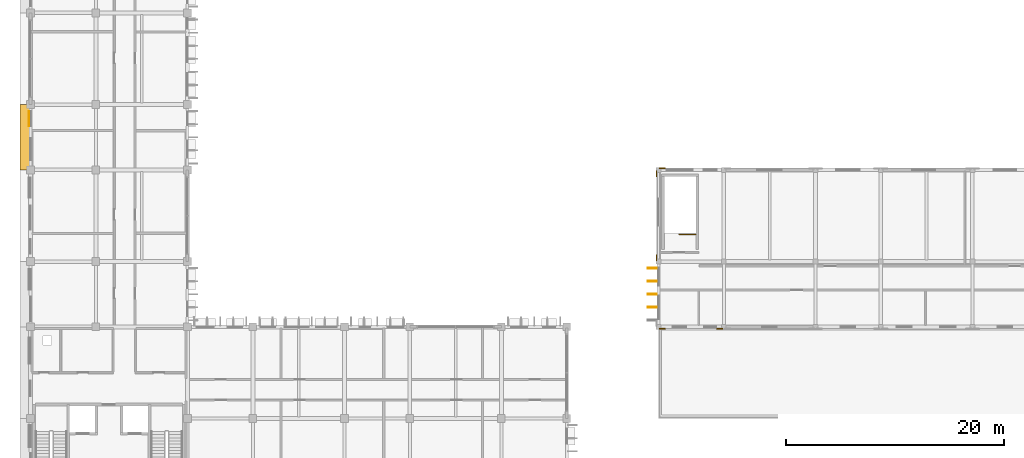
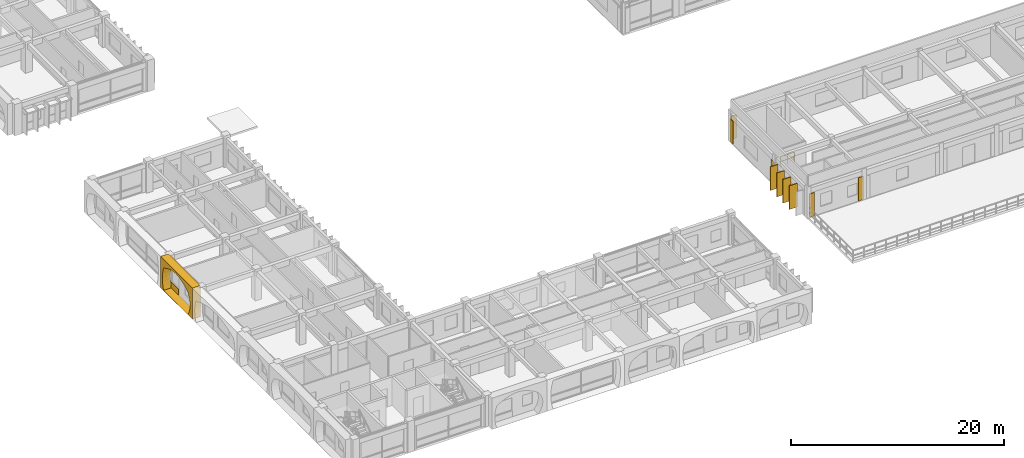
# One storey, part 71 of 88: 7 coverings, 4 shading devices, 1 railing.
"""IFC4 building model written with IfcOpenShell, lengths in metres."""

from ifc_helpers import new_model, si_unit, direction, frame, origin, origin_2d, place, context, subcontext, project, spatial, polyline, rectangle, outline, extrude, material, layer, layer_set, type_object, element, save


model = new_model("IFC4")

# Units and contexts
model_context = context("Model", 3, precision=1e-05, world=origin(), true_north=direction((0.0, 1.0)))
body_context = subcontext(model_context, "Body", "Model", "MODEL_VIEW")
ifc_project = project(units=[si_unit("LENGTHUNIT", "METRE"), si_unit("AREAUNIT", "SQUARE_METRE"), si_unit("VOLUMEUNIT", "CUBIC_METRE"), si_unit("PLANEANGLEUNIT", "RADIAN"), si_unit("MASSUNIT", "GRAM", prefix="KILO"), si_unit("THERMODYNAMICTEMPERATUREUNIT", "KELVIN")], contexts=[model_context])

# Site, building, storey
site_placement = place(None, origin())
site = spatial("IfcSite", under=ifc_project, at=site_placement, CompositionType="ELEMENT")
building_placement = place(site_placement, origin())
building = spatial("IfcBuilding", under=site, at=building_placement, Name="Thalorik Housing Commons", CompositionType="ELEMENT")
storey_placement = place(building_placement, frame((0.0, 0.0, 4.5)))
storey = spatial("IfcBuildingStorey", under=building, at=storey_placement, Name="L01", CompositionType="ELEMENT", Elevation=4.5)

# Coverings
ifc_material_1 = material(Name="Precast concrete C40/50", Category="concrete")
ifc_layer_1 = layer(ifc_material_1, 0.85009765625, Name="Precast concrete C40/50", Category="concrete")
ifc_layer_set_1 = layer_set([ifc_layer_1], Name="Precast concrete C40/50")
covering_type_1 = type_object("IfcCoveringType", Name="ARC-CLD-CUSH-850", PredefinedType="CLADDING", material=ifc_layer_set_1)
covering_1_placement = place(storey_placement, frame((7.87255859375, 40.199951171875, 0.0), z_axis=(0.0, 0.0, 1.0), x_axis=(0.0, -1.0, 0.0)))
element("IfcCovering", 1, at=covering_1_placement, inside=storey, type_object=covering_type_1, Name="L01 White Precast Curved Cushion Bay Frame 3474", PredefinedType="CLADDING", context=body_context, shape_type="SweptSolid", body=[
    extrude(outline(polyline([(-3.0, 0.0), (3.0, 0.0), (3.0, 3.60009765625), (-3.0, 3.60009765625), (-3.0, 0.0)]), holes=[polyline([(2.155029296875, 0.02490234375), (2.37451171875, 0.44921875), (2.506103515625, 0.873291015625), (2.550048828125, 1.297607421875), (2.506103515625, 1.7216796875), (2.37451171875, 2.145751953125), (2.155029296875, 2.570068359375), (1.771728515625, 2.804443359375), (1.38818359375, 2.98828125), (1.0048828125, 3.1376953125), (0.62158203125, 3.248291015625), (0.23828125, 3.31689453125), (-0.14501953125, 3.340087890625), (-0.5283203125, 3.31689453125), (-0.91162109375, 3.248291015625), (-1.294921875, 3.1376953125), (-1.67822265625, 2.98828125), (-2.061767578125, 2.804443359375), (-2.445068359375, 2.570068359375), (-2.562255859375, 2.145751953125), (-2.632568359375, 1.7216796875), (-2.656005859375, 1.297607421875), (-2.632568359375, 0.873291015625), (-2.562255859375, 0.44921875), (-2.445068359375, 0.02490234375), (2.155029296875, 0.02490234375)])]), frame((0.0, 0.425048828125, 0.0), z_axis=(0.0, -1.0, 0.0), x_axis=(1.0, 0.0, 0.0)), (0.0, 0.0, 1.0), 0.85009765625),
])
ifc_layer_2 = layer(ifc_material_1, 0.074951171875, Name="Precast concrete C40/50", Category="concrete")
ifc_layer_set_2 = layer_set([ifc_layer_2], Name="Precast concrete C40/50")
covering_type_2 = type_object("IfcCoveringType", Name="ARC-CLD-PIER-75", PredefinedType="CLADDING", material=ifc_layer_set_2)
for number, where, z_axis, x_axis, name in (
    (2, (65.8330078125, 36.85009765625, 0.050048828125), (0.0, 0.0, 1.0), (0.0, -1.0, 0.0), "L01 Architectural Facade Cladding 5314"),
    (3, (65.8330078125, 29.14990234375, 0.050048828125), (0.0, 0.0, 1.0), (0.0, -1.0, 0.0), "L01 Architectural Facade Cladding 5315"),
):
    element("IfcCovering", number, at=place(storey_placement, frame(where, z_axis=z_axis, x_axis=x_axis)), inside=storey, type_object=covering_type_2, Name=name, PredefinedType="CLADDING", context=body_context, shape_type="SweptSolid", body=[
        extrude(rectangle(XDim=0.550048828125, YDim=0.074951171875, at=origin_2d()), origin(), (0.0, 0.0, 1.0), 2.625),
    ])
ifc_material_2 = material(Name="Terracotta red mineral fibre-cement panel", Category="masonry")
ifc_layer_3 = layer(ifc_material_2, 0.054931640625, Name="Terracotta red mineral fibre-cement panel", Category="masonry")
ifc_layer_set_3 = layer_set([ifc_layer_3], Name="Terracotta red mineral fibre-cement panel")
covering_type_3 = type_object("IfcCoveringType", Name="ARC-CLD-RED-55", PredefinedType="CLADDING", material=ifc_layer_set_3)
covering_2_placement = place(storey_placement, frame((8.264892578125, 41.905029296875, 0.0498046875), z_axis=(0.0, 0.0, 1.0), x_axis=(0.0, -1.0, 0.0)))
element("IfcCovering", 4, at=covering_2_placement, inside=storey, type_object=covering_type_3, Name="L01 De Stijl Recessed Window Spandrel 3475", PredefinedType="CLADDING", context=body_context, shape_type="SweptSolid", body=[
    extrude(rectangle(XDim=1.3798828125, YDim=0.054931640625, at=origin_2d()), origin(), (0.0, 0.0, 1.0), 0.699951171875),
])
ifc_material_3 = material(Name="Mineral ochre architectural terracotta panel", Category="masonry")
ifc_layer_4 = layer(ifc_material_3, 0.06494140625, Name="Mineral ochre architectural terracotta panel", Category="masonry")
ifc_layer_set_4 = layer_set([ifc_layer_4], Name="Mineral ochre architectural terracotta panel")
covering_type_4 = type_object("IfcCoveringType", Name="ARC-CLD-YEL-65", PredefinedType="CLADDING", material=ifc_layer_set_4)
for number, where, z_axis, x_axis, name in (
    (5, (66.35009765625, 22.637939453125, 0.0498046875), (0.0, 0.0, 1.0), (1.0, 0.0, 0.0), "L01 Architectural Facade Cladding 5284"),
    (6, (71.64990234375, 22.637939453125, 0.0498046875), (0.0, 0.0, 1.0), (1.0, 0.0, 0.0), "L01 Architectural Facade Cladding 5285"),
    (7, (66.35009765625, 37.362060546875, 0.0498046875), (0.0, 0.0, 1.0), (-1.0, 0.0, 0.0), "L01 Architectural Facade Cladding 5313"),
):
    element("IfcCovering", number, at=place(storey_placement, frame(where, z_axis=z_axis, x_axis=x_axis)), inside=storey, type_object=covering_type_4, Name=name, PredefinedType="CLADDING", context=body_context, shape_type="SweptSolid", body=[
        extrude(rectangle(XDim=0.550048828125, YDim=0.06494140625, at=origin_2d()), origin(), (0.0, 0.0, 1.0), 2.675048828125),
    ])

# Shading devices
shading_device_type = type_object("IfcShadingDeviceType", Name="ARC-FIN-PC-850A", PredefinedType="USERDEFINED", material=ifc_material_1)
for number, where, z_axis, x_axis, name in (
    (8, (65.447509765625, 28.199951171875, 0.119873046875), (0.0, 0.0, 1.0), (0.0, -1.0, 0.0), "L01 Vertical Precast Solar Fin 194"),
    (9, (65.447509765625, 27.0, 0.119873046875), (0.0, 0.0, 1.0), (0.0, -1.0, 0.0), "L01 Vertical Precast Solar Fin 195"),
    (10, (65.447509765625, 25.800048828125, 0.119873046875), (0.0, 0.0, 1.0), (0.0, -1.0, 0.0), "L01 Vertical Precast Solar Fin 196"),
    (11, (65.447509765625, 24.60009765625, 0.119873046875), (0.0, 0.0, 1.0), (0.0, -1.0, 0.0), "L01 Vertical Precast Solar Fin 197"),
):
    element("IfcShadingDevice", number, at=place(storey_placement, frame(where, z_axis=z_axis, x_axis=x_axis)), inside=storey, type_object=shading_device_type, Name=name, ObjectType="FIN", PredefinedType="USERDEFINED", context=body_context, shape_type="SweptSolid", body=[
        extrude(rectangle(XDim=0.090087890625, YDim=0.85009765625, at=origin_2d()), origin(), (0.0, 0.0, 1.0), 2.72509765625),
    ])

# Railing
ifc_material_4 = material(Name="Steel S355", Category="steel")
railing_type = type_object("IfcRailingType", Name="ARC-RL-STR-GRD110", PredefinedType="GUARDRAIL", material=ifc_material_4)
railing_placement = place(storey_placement, frame((69.449951171875, 31.300048828125, 0.0)))
element("IfcRailing", 12, at=railing_placement, inside=storey, type_object=railing_type, Name="L01 ST-S1 top well guard 1", PredefinedType="GUARDRAIL", context=body_context, shape_type="SweptSolid", body=[
    extrude(rectangle(XDim=0.048095703125, YDim=0.048095703125, at=origin_2d()), frame((0.0, 0.0, 1.076171875), z_axis=(-1.0, 0.0, 0.0), x_axis=(0.0, -1.0, 0.0)), (0.0, 0.0, 1.0), 1.550048828125),
    extrude(rectangle(XDim=0.048095703125, YDim=0.048095703125, at=origin_2d()), frame((0.0, 0.0, 0.52587890625), z_axis=(-1.0, 0.0, 0.0), x_axis=(0.0, -1.0, 0.0)), (0.0, 0.0, 1.0), 1.550048828125),
    extrude(rectangle(XDim=0.0419921875, YDim=0.0419921875, at=origin_2d()), origin(), (0.0, 0.0, 1.0), 1.052001953125),
    extrude(rectangle(XDim=0.0419921875, YDim=0.0419921875, at=origin_2d()), frame((-0.77490234375, 0.0, 0.0)), (0.0, 0.0, 1.0), 1.052001953125),
    extrude(rectangle(XDim=0.0419921875, YDim=0.0419921875, at=origin_2d()), frame((-1.550048828125, 0.0, 0.0)), (0.0, 0.0, 1.0), 1.052001953125),
])

save(model, "model.ifc")
